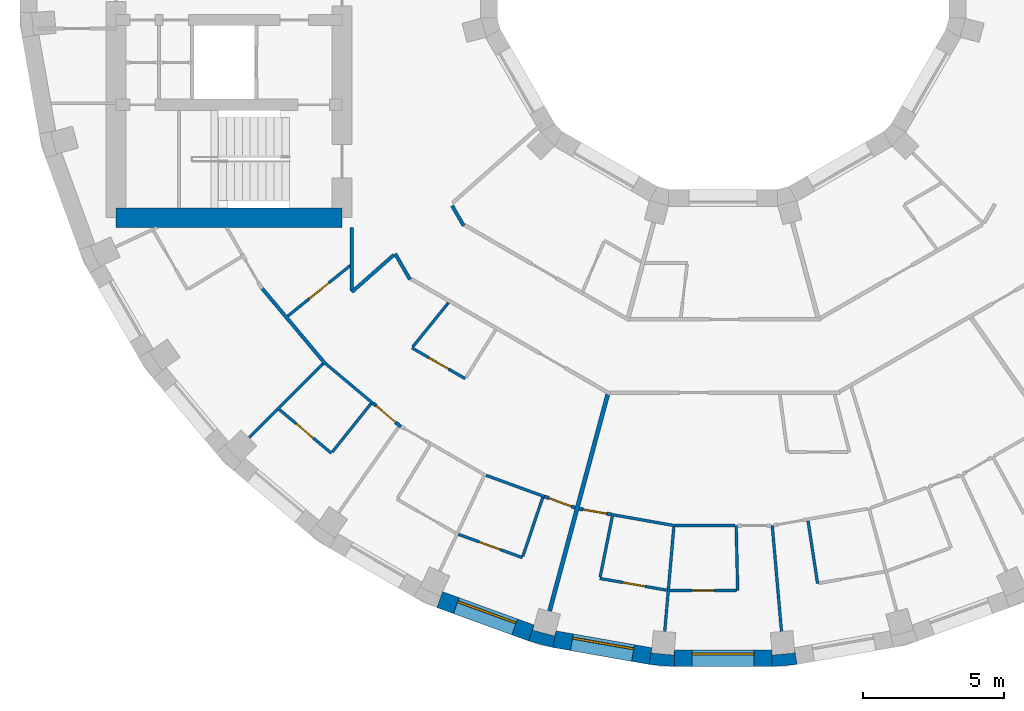
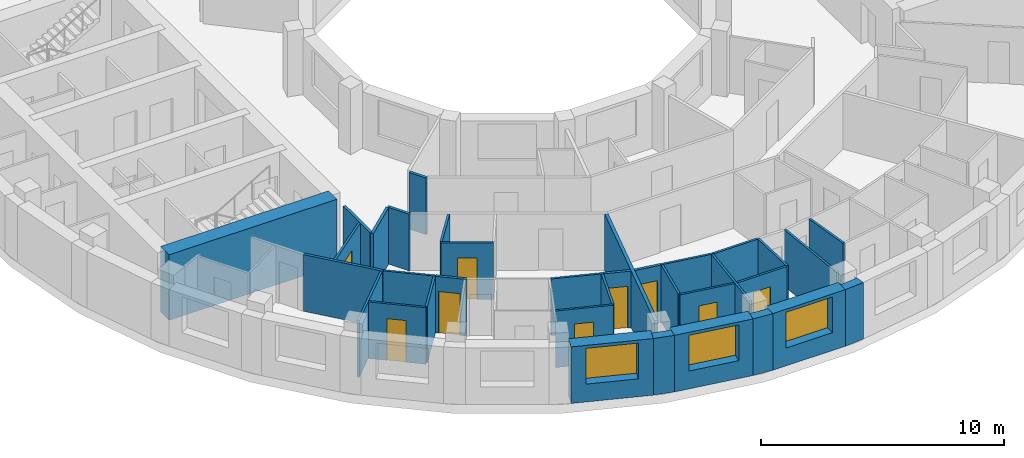
# One storey, part 4 of 14: 35 walls, 9 doors, 3 windows, 12 openings.
"""IFC4 building model written with IfcOpenShell, lengths in metres."""

from ifc_helpers import new_model, si_unit, direction, frame, frame_2d, origin, place, context, subcontext, project, spatial, polyline, rectangle, outline, extrude, material, layer, layer_set, type_object, element, fill, save


model = new_model("IFC4")

# Units and contexts
model_context = context("Model", 3, precision=1e-05, world=origin(), true_north=direction((0.0, 1.0)))
body_context = subcontext(model_context, "Body", "Model", "MODEL_VIEW")
ifc_project = project(units=[si_unit("LENGTHUNIT", "METRE"), si_unit("AREAUNIT", "SQUARE_METRE"), si_unit("VOLUMEUNIT", "CUBIC_METRE"), si_unit("PLANEANGLEUNIT", "RADIAN"), si_unit("MASSUNIT", "GRAM", prefix="KILO")], contexts=[model_context])

# Site, building, storey
site_placement = place(None, origin())
site = spatial("IfcSite", under=ifc_project, at=site_placement, CompositionType="ELEMENT")
building_placement = place(site_placement, origin())
building = spatial("IfcBuilding", under=site, at=building_placement, Name="Saqina Gate Tower", CompositionType="ELEMENT")
storey_placement = place(building_placement, frame((0.0, 0.0, 177.300048828125)))
storey = spatial("IfcBuildingStorey", under=building, at=storey_placement, Name="L50", CompositionType="ELEMENT", Elevation=177.300048828125)

# Walls
ifc_material_1 = material(Name="Brick masonry (buff)", Category="masonry")
wall_type_1 = type_object("IfcWallType", Name="BRICK PIER COPING BUFF", PredefinedType="SOLIDWALL", material=ifc_material_1)
wall_1_placement = place(storey_placement, origin())
element("IfcWall", 1, at=wall_1_placement, inside=storey, type_object=wall_type_1, Name="Pier cap L50 column 26", PredefinedType="SOLIDWALL", context=body_context, shape_type="SweptSolid", body=[
    extrude(outline(polyline([(-6.0234375, -24.22705078125), (-5.919189453125, -23.635986328125), (-5.967529296875, -23.81689453125), (-6.740478515625, -23.610107421875), (-6.69189453125, -23.428955078125), (-6.897216796875, -23.992919921875), (-6.0234375, -24.22705078125)])), origin(), (0.0, 0.0, 1.0), 2.849853515625),
])
wall_2_placement = place(storey_placement, origin())
element("IfcWall", 2, at=wall_2_placement, inside=storey, type_object=wall_type_1, Name="Pier cap L50 column 27", PredefinedType="SOLIDWALL", context=body_context, shape_type="SweptSolid", body=[
    extrude(outline(polyline([(-2.6259765625, -24.825927734375), (-1.724853515625, -24.90478515625), (-1.724853515625, -24.304931640625), (-1.7412109375, -24.491455078125), (-2.5380859375, -24.421630859375), (-2.521728515625, -24.235107421875), (-2.6259765625, -24.825927734375)])), origin(), (0.0, 0.0, 1.0), 2.849853515625),
])
wall_3_placement = place(storey_placement, origin())
element("IfcWall", 3, at=wall_3_placement, inside=storey, type_object=wall_type_1, Name="Pier cap L50 column 28", PredefinedType="SOLIDWALL", context=body_context, shape_type="SweptSolid", body=[
    extrude(outline(polyline([(1.724853515625, -24.90478515625), (2.6259765625, -24.825927734375), (2.521728515625, -24.235107421875), (2.5380859375, -24.421630859375), (1.7412109375, -24.491455078125), (1.724853515625, -24.304931640625), (1.724853515625, -24.90478515625)])), origin(), (0.0, 0.0, 1.0), 2.849853515625),
])

# Wall, opening, window
ifc_material_2 = material(Name="Brick masonry (buff)", Category="masonry")
ifc_layer_1 = layer(ifc_material_2, 0.60009765625)
ifc_layer_set_1 = layer_set([ifc_layer_1], Name="FW-BRICK-BUFF")
wall_type_2 = type_object("IfcWallType", Name="FW-BRICK-BUFF", PredefinedType="SOLIDWALL", material=ifc_layer_set_1)
wall_4_placement = place(storey_placement, frame((-10.0361328125, -22.531005859375, 0.0), z_axis=(0.0, 0.0, 1.0), x_axis=(0.93968799822, -0.342032843455, 0.0)))
wall_4 = element("IfcWall", 4, at=wall_4_placement, inside=storey, type_object=wall_type_2, Name="Facade wall L50 facet 25", PredefinedType="SOLIDWALL", context=body_context, shape_type="SweptSolid", body=[
    extrude(rectangle(XDim=3.44970703125, YDim=0.60009765625, at=frame_2d((1.724853515625, 0.0))), origin(), (0.0, 0.0, 1.0), 2.849853515625),
])
opening_1_placement = place(wall_4_placement, frame((0.625, 0.0, 0.89990234375)))
opening_1 = element("IfcOpeningElement", 5, at=opening_1_placement, cuts=wall_4, Name="Opening G14-W18", PredefinedType="OPENING", context=body_context, shape_type="SweptSolid", body=[
    extrude(rectangle(XDim=2.199951171875, YDim=1.800048828125, at=frame_2d((1.10009765625, 0.89990234375))), frame((0.0, 0.31201171875, 0.0), z_axis=(0.0, -1.0, 0.0), x_axis=(1.0, 0.0, 0.0)), (0.0, 0.0, 1.0), 0.6240234375),
])
ifc_material_3 = material(Name="Aluminium glazing", Category="aluminium")
window_type = type_object("IfcWindowType", Name="WN-C", PartitioningType="SINGLE_PANEL", PredefinedType="WINDOW", material=ifc_material_3)
window_1_placement = place(opening_1_placement, origin())
window_1 = element("IfcWindow", 6, at=window_1_placement, inside=storey, type_object=window_type, Name="Window L50 facet 25", OverallHeight=1.800048828125, OverallWidth=2.199951171875, PartitioningType="SINGLE_PANEL", PredefinedType="WINDOW", context=body_context, shape_type="SweptSolid", body=[
    extrude(rectangle(XDim=2.199951171875, YDim=1.800048828125, at=frame_2d((1.10009765625, 0.89990234375))), frame((0.0, 0.179931640625, 0.0), z_axis=(0.0, -1.0, 0.0), x_axis=(1.0, 0.0, 0.0)), (0.0, 0.0, 1.0), 0.06005859375),
])
fill(opening_1, window_1)

wall_5_placement = place(storey_placement, frame((-5.97119140625, -23.931640625, 0.0), z_axis=(0.0, 0.0, 1.0), x_axis=(0.984814892183, -0.173607684551, 0.0)))
wall_5 = element("IfcWall", 7, at=wall_5_placement, inside=storey, type_object=wall_type_2, Name="Facade wall L50 facet 26", PredefinedType="SOLIDWALL", context=body_context, shape_type="SweptSolid", body=[
    extrude(rectangle(XDim=3.44970703125, YDim=0.60009765625, at=frame_2d((1.724853515625, 0.0))), origin(), (0.0, 0.0, 1.0), 2.849853515625),
])
opening_2_placement = place(wall_5_placement, frame((0.625, 0.0, 0.89990234375)))
opening_2 = element("IfcOpeningElement", 8, at=opening_2_placement, cuts=wall_5, Name="Opening G14-W19", PredefinedType="OPENING", context=body_context, shape_type="SweptSolid", body=[
    extrude(rectangle(XDim=2.199951171875, YDim=1.800048828125, at=frame_2d((1.10009765625, 0.89990234375))), frame((0.0, 0.31201171875, 0.0), z_axis=(0.0, -1.0, 0.0), x_axis=(1.0, 0.0, 0.0)), (0.0, 0.0, 1.0), 0.6240234375),
])
window_2_placement = place(opening_2_placement, origin())
window_2 = element("IfcWindow", 9, at=window_2_placement, inside=storey, type_object=window_type, Name="Window L50 facet 26", OverallHeight=1.800048828125, OverallWidth=2.199951171875, PartitioningType="SINGLE_PANEL", PredefinedType="WINDOW", context=body_context, shape_type="SweptSolid", body=[
    extrude(rectangle(XDim=2.199951171875, YDim=1.800048828125, at=frame_2d((1.10009765625, 0.89990234375))), frame((0.0, 0.179931640625, 0.0), z_axis=(0.0, -1.0, 0.0), x_axis=(1.0, 0.0, 0.0)), (0.0, 0.0, 1.0), 0.06005859375),
])
fill(opening_2, window_2)

wall_6_placement = place(storey_placement, frame((-1.724853515625, -24.60498046875, 0.0), z_axis=(0.0, 0.0, 1.0), x_axis=(1.0, 0.0, 0.0)))
wall_6 = element("IfcWall", 10, at=wall_6_placement, inside=storey, type_object=wall_type_2, Name="Facade wall L50 facet 27", PredefinedType="SOLIDWALL", context=body_context, shape_type="SweptSolid", body=[
    extrude(rectangle(XDim=3.44970703125, YDim=0.60009765625, at=frame_2d((1.724853515625, 0.0))), origin(), (0.0, 0.0, 1.0), 2.849853515625),
])
opening_3_placement = place(wall_6_placement, frame((0.625, 0.0, 0.89990234375)))
opening_3 = element("IfcOpeningElement", 11, at=opening_3_placement, cuts=wall_6, Name="Opening G14-W20", PredefinedType="OPENING", context=body_context, shape_type="SweptSolid", body=[
    extrude(rectangle(XDim=2.199951171875, YDim=1.800048828125, at=frame_2d((1.10009765625, 0.89990234375))), frame((0.0, 0.31201171875, 0.0), z_axis=(0.0, -1.0, 0.0), x_axis=(1.0, 0.0, 0.0)), (0.0, 0.0, 1.0), 0.6240234375),
])
window_3_placement = place(opening_3_placement, origin())
window_3 = element("IfcWindow", 12, at=window_3_placement, inside=storey, type_object=window_type, Name="Window L50 facet 27", OverallHeight=1.800048828125, OverallWidth=2.199951171875, PartitioningType="SINGLE_PANEL", PredefinedType="WINDOW", context=body_context, shape_type="SweptSolid", body=[
    extrude(rectangle(XDim=2.199951171875, YDim=1.800048828125, at=frame_2d((1.10009765625, 0.89990234375))), frame((0.0, 0.179931640625, 0.0), z_axis=(0.0, -1.0, 0.0), x_axis=(1.0, 0.0, 0.0)), (0.0, 0.0, 1.0), 0.06005859375),
])
fill(opening_3, window_3)

# Walls
ifc_material_4 = material(Name="Gypsum board on steel studs, 100 mm", Category="steel")
ifc_layer_2 = layer(ifc_material_4, 0.10009765625)
ifc_layer_set_2 = layer_set([ifc_layer_2], Name="PARTITION 100")
wall_type_3 = type_object("IfcWallType", Name="PARTITION 100", PredefinedType="PARTITIONING", material=ifc_layer_set_2)
wall_7_placement = place(storey_placement, frame((0.462890625, -19.905029296875, 0.0), z_axis=(0.0, 0.0, 1.0), x_axis=(0.023557837766, -0.99972247563, 0.0)))
element("IfcWall", 13, at=wall_7_placement, inside=storey, type_object=wall_type_3, Name="PARTITION PW3-02", PredefinedType="PARTITIONING", context=body_context, shape_type="SweptSolid", body=[
    extrude(rectangle(XDim=2.30078125, YDim=0.10009765625, at=frame_2d((1.150390625, 0.0))), origin(), (0.0, 0.0, 1.0), 2.849853515625),
])
wall_8_placement = place(storey_placement, frame((1.740966796875, -19.905029296875, 0.0), z_axis=(0.0, 0.0, 1.0), x_axis=(0.087033201937, -0.996205411429, 0.0)))
element("IfcWall", 14, at=wall_8_placement, inside=storey, type_object=wall_type_3, Name="PARTITION PW3-05", PredefinedType="PARTITIONING", context=body_context, shape_type="SweptSolid", body=[
    extrude(rectangle(XDim=3.7587890625, YDim=0.10009765625, at=frame_2d((1.87939453125, 0.0))), origin(), (0.0, 0.0, 1.0), 2.849853515625),
])
wall_9_placement = place(storey_placement, frame((3.009521484375, -19.744873046875, 0.0), z_axis=(0.0, 0.0, 1.0), x_axis=(0.150778111259, -0.988567631053, 0.0)))
element("IfcWall", 15, at=wall_9_placement, inside=storey, type_object=wall_type_3, Name="PARTITION PW3-09", PredefinedType="PARTITIONING", context=body_context, shape_type="SweptSolid", body=[
    extrude(rectangle(XDim=2.23779296875, YDim=0.10009765625, at=frame_2d((1.118896484375, 0.0))), origin(), (0.0, 0.0, 1.0), 2.849853515625),
])

# Wall, opening, door
wall_10_placement = place(storey_placement, frame((-15.72265625, -15.793212890625, 0.0), z_axis=(0.0, 0.0, 1.0), x_axis=(0.766024146731, -0.642811797204, 0.0)))
wall_10 = element("IfcWall", 16, at=wall_10_placement, inside=storey, type_object=wall_type_3, Name="PARTITION PW3-28", PredefinedType="PARTITIONING", context=body_context, shape_type="SweptSolid", body=[
    extrude(rectangle(XDim=2.409423828125, YDim=0.10009765625, at=frame_2d((1.20458984375, 0.0))), origin(), (0.0, 0.0, 1.0), 2.849853515625),
])
opening_4_placement = place(wall_10_placement, frame((0.77978515625, 0.0, 0.0)))
opening_4 = element("IfcOpeningElement", 17, at=opening_4_placement, cuts=wall_10, Name="Opening G14-D34", PredefinedType="OPENING", context=body_context, shape_type="SweptSolid", body=[
    extrude(rectangle(XDim=0.800048828125, YDim=2.10009765625, at=frame_2d((0.39990234375, 1.050048828125))), frame((0.0, 0.06201171875, 0.0), z_axis=(0.0, -1.0, 0.0), x_axis=(1.0, 0.0, 0.0)), (0.0, 0.0, 1.0), 0.1240234375),
])
ifc_material_5 = material(Name="Timber door leaf, 800 mm", Category="wood")
door_type_1 = type_object("IfcDoorType", Name="DOOR 800 TIMBER", OperationType="SINGLE_SWING_LEFT", PredefinedType="DOOR", material=ifc_material_5)
door_1_placement = place(opening_4_placement, frame((0.800048828125, 0.0, 0.0), z_axis=(0.0, 0.0, 1.0), x_axis=(-1.0, 0.0, 0.0)))
door_1 = element("IfcDoor", 18, at=door_1_placement, inside=storey, type_object=door_type_1, Name="DOOR G14-D34", OperationType="SINGLE_SWING_RIGHT", OverallHeight=2.10009765625, OverallWidth=0.800048828125, PredefinedType="DOOR", context=body_context, shape_type="SweptSolid", body=[
    extrude(rectangle(XDim=0.800048828125, YDim=2.10009765625, at=frame_2d((0.39990234375, 1.050048828125))), frame((0.0, 0.02490234375, 0.0), z_axis=(0.0, -1.0, 0.0), x_axis=(1.0, 0.0, 0.0)), (0.0, 0.0, 1.0), 0.050048828125),
])
fill(opening_4, door_1)

# Wall
wall_11_placement = place(storey_placement, frame((-14.0810546875, -14.169189453125, 0.0), z_axis=(0.0, 0.0, 1.0), x_axis=(0.766108401036, -0.642711379907, 0.0)))
element("IfcWall", 19, at=wall_11_placement, inside=storey, type_object=wall_type_3, Name="PARTITION PW3-29", PredefinedType="PARTITIONING", context=body_context, shape_type="SweptSolid", body=[
    extrude(rectangle(XDim=2.192138671875, YDim=0.10009765625, at=frame_2d((1.09619140625, 0.0))), origin(), (0.0, 0.0, 1.0), 2.849853515625),
])

# Wall, opening, door
wall_12_placement = place(storey_placement, frame((-11.02294921875, -13.612060546875, 0.0), z_axis=(0.0, 0.0, 1.0), x_axis=(0.86608684879, -0.499893559023, 0.0)))
wall_12 = element("IfcWall", 20, at=wall_12_placement, inside=storey, type_object=wall_type_3, Name="PARTITION PW3-37", PredefinedType="PARTITIONING", context=body_context, shape_type="SweptSolid", body=[
    extrude(rectangle(XDim=2.18212890625, YDim=0.10009765625, at=frame_2d((1.091064453125, 0.0))), origin(), (0.0, 0.0, 1.0), 2.849853515625),
])
opening_5_placement = place(wall_12_placement, frame((0.691162109375, 0.0, 0.0)))
opening_5 = element("IfcOpeningElement", 21, at=opening_5_placement, cuts=wall_12, Name="Opening G14-D36", PredefinedType="OPENING", context=body_context, shape_type="SweptSolid", body=[
    extrude(rectangle(XDim=0.800048828125, YDim=2.10009765625, at=frame_2d((0.39990234375, 1.050048828125))), frame((0.0, 0.06201171875, 0.0), z_axis=(0.0, -1.0, 0.0), x_axis=(1.0, 0.0, 0.0)), (0.0, 0.0, 1.0), 0.1240234375),
])
door_2_placement = place(opening_5_placement, frame((0.800048828125, 0.0, 0.0), z_axis=(0.0, 0.0, 1.0), x_axis=(-1.0, 0.0, 0.0)))
door_2 = element("IfcDoor", 22, at=door_2_placement, inside=storey, type_object=door_type_1, Name="DOOR G14-D36", OperationType="SINGLE_SWING_RIGHT", OverallHeight=2.10009765625, OverallWidth=0.800048828125, PredefinedType="DOOR", context=body_context, shape_type="SweptSolid", body=[
    extrude(rectangle(XDim=0.800048828125, YDim=2.10009765625, at=frame_2d((0.39990234375, 1.050048828125))), frame((0.0, 0.02490234375, 0.0), z_axis=(0.0, -1.0, 0.0), x_axis=(1.0, 0.0, 0.0)), (0.0, 0.0, 1.0), 0.050048828125),
])
fill(opening_5, door_2)

wall_13_placement = place(storey_placement, frame((-9.373046875, -20.218017578125, 0.0), z_axis=(0.0, 0.0, 1.0), x_axis=(0.939707598657, -0.34197898916, 0.0)))
wall_13 = element("IfcWall", 23, at=wall_13_placement, inside=storey, type_object=wall_type_3, Name="PARTITION PW3-42", PredefinedType="PARTITIONING", context=body_context, shape_type="SweptSolid", body=[
    extrude(rectangle(XDim=2.409423828125, YDim=0.10009765625, at=frame_2d((1.20458984375, 0.0))), origin(), (0.0, 0.0, 1.0), 2.849853515625),
])
opening_6_placement = place(wall_13_placement, frame((0.779541015625, 0.0, 0.0)))
opening_6 = element("IfcOpeningElement", 24, at=opening_6_placement, cuts=wall_13, Name="Opening G14-D42", PredefinedType="OPENING", context=body_context, shape_type="SweptSolid", body=[
    extrude(rectangle(XDim=0.800048828125, YDim=2.10009765625, at=frame_2d((0.39990234375, 1.050048828125))), frame((0.0, 0.06201171875, 0.0), z_axis=(0.0, -1.0, 0.0), x_axis=(1.0, 0.0, 0.0)), (0.0, 0.0, 1.0), 0.1240234375),
])
door_3_placement = place(opening_6_placement, frame((0.800048828125, 0.0, 0.0), z_axis=(0.0, 0.0, 1.0), x_axis=(-1.0, 0.0, 0.0)))
door_3 = element("IfcDoor", 25, at=door_3_placement, inside=storey, type_object=door_type_1, Name="DOOR G14-D42", OperationType="SINGLE_SWING_RIGHT", OverallHeight=2.10009765625, OverallWidth=0.800048828125, PredefinedType="DOOR", context=body_context, shape_type="SweptSolid", body=[
    extrude(rectangle(XDim=0.800048828125, YDim=2.10009765625, at=frame_2d((0.39990234375, 1.050048828125))), frame((0.0, 0.02490234375, 0.0), z_axis=(0.0, -1.0, 0.0), x_axis=(1.0, 0.0, 0.0)), (0.0, 0.0, 1.0), 0.050048828125),
])
fill(opening_6, door_3)

# Wall
wall_14_placement = place(storey_placement, frame((-8.39697265625, -18.126220703125, 0.0), z_axis=(0.0, 0.0, 1.0), x_axis=(0.939676937302, -0.342063230271, 0.0)))
element("IfcWall", 26, at=wall_14_placement, inside=storey, type_object=wall_type_3, Name="PARTITION PW3-43", PredefinedType="PARTITIONING", context=body_context, shape_type="SweptSolid", body=[
    extrude(rectangle(XDim=2.2041015625, YDim=0.10009765625, at=frame_2d((1.10205078125, 0.0))), origin(), (0.0, 0.0, 1.0), 2.849853515625),
])

# Wall, opening, door
wall_15_placement = place(storey_placement, frame((-4.364990234375, -21.778076171875, 0.0), z_axis=(0.0, 0.0, 1.0), x_axis=(0.984820260231, -0.173577230762, 0.0)))
wall_15 = element("IfcWall", 27, at=wall_15_placement, inside=storey, type_object=wall_type_3, Name="PARTITION PW3-46", PredefinedType="PARTITIONING", context=body_context, shape_type="SweptSolid", body=[
    extrude(rectangle(XDim=2.409423828125, YDim=0.10009765625, at=frame_2d((1.20458984375, 0.0))), origin(), (0.0, 0.0, 1.0), 2.849853515625),
])
opening_7_placement = place(wall_15_placement, frame((0.82958984375, 0.0, 0.0)))
opening_7 = element("IfcOpeningElement", 28, at=opening_7_placement, cuts=wall_15, Name="Opening G14-D45", PredefinedType="OPENING", context=body_context, shape_type="SweptSolid", body=[
    extrude(rectangle(XDim=0.800048828125, YDim=2.10009765625, at=frame_2d((0.39990234375, 1.050048828125))), frame((0.0, 0.06201171875, 0.0), z_axis=(0.0, -1.0, 0.0), x_axis=(1.0, 0.0, 0.0)), (0.0, 0.0, 1.0), 0.1240234375),
])
door_4_placement = place(opening_7_placement, frame((0.800048828125, 0.0, 0.0), z_axis=(0.0, 0.0, 1.0), x_axis=(-1.0, 0.0, 0.0)))
door_4 = element("IfcDoor", 29, at=door_4_placement, inside=storey, type_object=door_type_1, Name="DOOR G14-D45", OperationType="SINGLE_SWING_LEFT", OverallHeight=2.10009765625, OverallWidth=0.800048828125, PredefinedType="DOOR", context=body_context, shape_type="SweptSolid", body=[
    extrude(rectangle(XDim=0.800048828125, YDim=2.10009765625, at=frame_2d((0.39990234375, 1.050048828125))), frame((0.0, 0.02490234375, 0.0), z_axis=(0.0, -1.0, 0.0), x_axis=(1.0, 0.0, 0.0)), (0.0, 0.0, 1.0), 0.050048828125),
])
fill(opening_7, door_4)

# Wall
wall_16_placement = place(storey_placement, frame((-3.961181640625, -19.513427734375, 0.0), z_axis=(0.0, 0.0, 1.0), x_axis=(0.984801677979, -0.173682627367, 0.0)))
element("IfcWall", 30, at=wall_16_placement, inside=storey, type_object=wall_type_3, Name="PARTITION PW3-47", PredefinedType="PARTITIONING", context=body_context, shape_type="SweptSolid", body=[
    extrude(rectangle(XDim=2.305419921875, YDim=0.10009765625, at=frame_2d((1.15283203125, 0.0))), origin(), (0.0, 0.0, 1.0), 2.849853515625),
])

# Wall, opening, door
wall_17_placement = place(storey_placement, frame((-1.89306640625, -22.205078125, 0.0), z_axis=(0.0, 0.0, 1.0), x_axis=(1.0, 0.0, 0.0)))
wall_17 = element("IfcWall", 31, at=wall_17_placement, inside=storey, type_object=wall_type_3, Name="PARTITION PW3-50", PredefinedType="PARTITIONING", context=body_context, shape_type="SweptSolid", body=[
    extrude(rectangle(XDim=2.360107421875, YDim=0.10009765625, at=frame_2d((1.18017578125, 0.0))), origin(), (0.0, 0.0, 1.0), 2.849853515625),
])
opening_8_placement = place(wall_17_placement, frame((0.780029296875, 0.0, 0.0)))
opening_8 = element("IfcOpeningElement", 32, at=opening_8_placement, cuts=wall_17, Name="Opening G14-D48", PredefinedType="OPENING", context=body_context, shape_type="SweptSolid", body=[
    extrude(rectangle(XDim=0.800048828125, YDim=2.10009765625, at=frame_2d((0.39990234375, 1.050048828125))), frame((0.0, 0.06201171875, 0.0), z_axis=(0.0, -1.0, 0.0), x_axis=(1.0, 0.0, 0.0)), (0.0, 0.0, 1.0), 0.1240234375),
])
door_5_placement = place(opening_8_placement, frame((0.800048828125, 0.0, 0.0), z_axis=(0.0, 0.0, 1.0), x_axis=(-1.0, 0.0, 0.0)))
door_5 = element("IfcDoor", 33, at=door_5_placement, inside=storey, type_object=door_type_1, Name="DOOR G14-D48", OperationType="SINGLE_SWING_LEFT", OverallHeight=2.10009765625, OverallWidth=0.800048828125, PredefinedType="DOOR", context=body_context, shape_type="SweptSolid", body=[
    extrude(rectangle(XDim=0.800048828125, YDim=2.10009765625, at=frame_2d((0.39990234375, 1.050048828125))), frame((0.0, 0.02490234375, 0.0), z_axis=(0.0, -1.0, 0.0), x_axis=(1.0, 0.0, 0.0)), (0.0, 0.0, 1.0), 0.050048828125),
])
fill(opening_8, door_5)

# Wall
wall_18_placement = place(storey_placement, frame((-1.69091796875, -19.905029296875, 0.0), z_axis=(0.0, 0.0, 1.0), x_axis=(1.0, 0.0, 0.0)))
element("IfcWall", 34, at=wall_18_placement, inside=storey, type_object=wall_type_3, Name="PARTITION PW3-51", PredefinedType="PARTITIONING", context=body_context, shape_type="SweptSolid", body=[
    extrude(rectangle(XDim=2.10400390625, YDim=0.10009765625, at=frame_2d((1.052001953125, 0.0))), origin(), (0.0, 0.0, 1.0), 2.849853515625),
])

# Wall, opening, door
wall_19_placement = place(storey_placement, frame((-15.42236328125, -12.48876953125, 0.0), z_axis=(0.0, 0.0, 1.0), x_axis=(0.777201155745, 0.629252225669, 0.0)))
wall_19 = element("IfcWall", 35, at=wall_19_placement, inside=storey, type_object=wall_type_3, Name="PARTITION PW3-74", PredefinedType="PARTITIONING", context=body_context, shape_type="SweptSolid", body=[
    extrude(rectangle(XDim=2.861328125, YDim=0.10009765625, at=frame_2d((1.4306640625, 0.0))), origin(), (0.0, 0.0, 1.0), 2.849853515625),
])
opening_9_placement = place(wall_19_placement, frame((0.980712890625, 0.0, 0.0)))
opening_9 = element("IfcOpeningElement", 36, at=opening_9_placement, cuts=wall_19, Name="Opening G14-D33", PredefinedType="OPENING", context=body_context, shape_type="SweptSolid", body=[
    extrude(rectangle(XDim=0.89990234375, YDim=2.10009765625, at=frame_2d((0.449951171875, 1.050048828125))), frame((0.0, 0.06201171875, 0.0), z_axis=(0.0, -1.0, 0.0), x_axis=(1.0, 0.0, 0.0)), (0.0, 0.0, 1.0), 0.1240234375),
])
ifc_material_6 = material(Name="Timber door leaf, 900 mm", Category="wood")
door_type_2 = type_object("IfcDoorType", Name="DOOR 900 TIMBER", OperationType="SINGLE_SWING_LEFT", PredefinedType="DOOR", material=ifc_material_6)
door_6_placement = place(opening_9_placement, frame((0.89990234375, 0.0, 0.0), z_axis=(0.0, 0.0, 1.0), x_axis=(-1.0, 0.0, 0.0)))
door_6 = element("IfcDoor", 37, at=door_6_placement, inside=storey, type_object=door_type_2, Name="DOOR G14-D33", OperationType="SINGLE_SWING_LEFT", OverallHeight=2.10009765625, OverallWidth=0.89990234375, PredefinedType="DOOR", context=body_context, shape_type="SweptSolid", body=[
    extrude(rectangle(XDim=0.89990234375, YDim=2.10009765625, at=frame_2d((0.449951171875, 1.050048828125))), frame((0.0, 0.02490234375, 0.0), z_axis=(0.0, -1.0, 0.0), x_axis=(1.0, 0.0, 0.0)), (0.0, 0.0, 1.0), 0.050048828125),
])
fill(opening_9, door_6)

# Walls
wall_20_placement = place(storey_placement, frame((-16.78662109375, -16.78662109375, 0.0), z_axis=(0.0, 0.0, 1.0), x_axis=(0.707106781187, 0.707106781187, 0.0)))
element("IfcWall", 38, at=wall_20_placement, inside=storey, type_object=wall_type_3, Name="PARTITION PW3-78", PredefinedType="PARTITIONING", context=body_context, shape_type="SweptSolid", body=[
    extrude(rectangle(XDim=3.696044921875, YDim=0.10009765625, at=frame_2d((1.84814453125, 0.0))), origin(), (0.0, 0.0, 1.0), 2.849853515625),
])
wall_21_placement = place(storey_placement, frame((-10.991455078125, -13.5732421875, 0.0), z_axis=(0.0, 0.0, 1.0), x_axis=(0.629327284659, 0.777140379072, 0.0)))
element("IfcWall", 39, at=wall_21_placement, inside=storey, type_object=wall_type_3, Name="PARTITION PW3-83", PredefinedType="PARTITIONING", context=body_context, shape_type="SweptSolid", body=[
    extrude(rectangle(XDim=2.013427734375, YDim=0.10009765625, at=frame_2d((1.0068359375, 0.0))), origin(), (0.0, 0.0, 1.0), 2.849853515625),
])
wall_22_placement = place(storey_placement, frame((-13.845703125, -17.302978515625, 0.0), z_axis=(0.0, 0.0, 1.0), x_axis=(0.624722111344, 0.780847157642, 0.0)))
element("IfcWall", 40, at=wall_22_placement, inside=storey, type_object=wall_type_3, Name="PARTITION PW3-84", PredefinedType="PARTITIONING", context=body_context, shape_type="SweptSolid", body=[
    extrude(rectangle(XDim=2.2001953125, YDim=0.10009765625, at=frame_2d((1.10009765625, 0.0))), origin(), (0.0, 0.0, 1.0), 2.849853515625),
])
wall_23_placement = place(storey_placement, frame((-7.093017578125, -20.99462890625, 0.0), z_axis=(0.0, 0.0, 1.0), x_axis=(0.320053851591, 0.947399351953, 0.0)))
element("IfcWall", 41, at=wall_23_placement, inside=storey, type_object=wall_type_3, Name="PARTITION PW3-96", PredefinedType="PARTITIONING", context=body_context, shape_type="SweptSolid", body=[
    extrude(rectangle(XDim=2.199951171875, YDim=0.10009765625, at=frame_2d((1.10009765625, 0.0))), origin(), (0.0, 0.0, 1.0), 2.849853515625),
])
wall_24_placement = place(storey_placement, frame((-4.355224609375, -21.72900390625, 0.0), z_axis=(0.0, 0.0, 1.0), x_axis=(0.196888353759, 0.980425915689, 0.0)))
element("IfcWall", 42, at=wall_24_placement, inside=storey, type_object=wall_type_3, Name="PARTITION PW3-98", PredefinedType="PARTITIONING", context=body_context, shape_type="SweptSolid", body=[
    extrude(rectangle(XDim=2.1884765625, YDim=0.10009765625, at=frame_2d((1.09423828125, 0.0))), origin(), (0.0, 0.0, 1.0), 2.849853515625),
])
wall_25_placement = place(storey_placement, frame((-2.0673828125, -23.64990234375, 0.0), z_axis=(0.0, 0.0, 1.0), x_axis=(0.086819919703, 0.996224021766, 0.0)))
element("IfcWall", 43, at=wall_25_placement, inside=storey, type_object=wall_type_3, Name="PARTITION PW3-101", PredefinedType="PARTITIONING", context=body_context, shape_type="SweptSolid", body=[
    extrude(rectangle(XDim=3.708984375, YDim=0.10009765625, at=frame_2d((1.8544921875, 0.0))), origin(), (0.0, 0.0, 1.0), 2.849853515625),
])
ifc_material_7 = material(Name="Gypsum board on steel studs, 125 mm, fire rated", Category="steel")
ifc_layer_3 = layer(ifc_material_7, 0.125)
ifc_layer_set_3 = layer_set([ifc_layer_3], Name="PARTITION EI 30 125")
wall_type_4 = type_object("IfcWallType", Name="PARTITION EI 30 125", PredefinedType="PARTITIONING", material=ifc_layer_set_3)
wall_26_placement = place(storey_placement, frame((-11.616943359375, -10.278076171875, 0.0), z_axis=(0.0, 0.0, 1.0), x_axis=(0.499956751108, -0.866050372104, 0.0)))
element("IfcWall", 44, at=wall_26_placement, inside=storey, type_object=wall_type_4, Name="PARTITION PW1-02", PredefinedType="PARTITIONING", context=body_context, shape_type="SweptSolid", body=[
    extrude(rectangle(XDim=1.05224609375, YDim=0.125, at=frame_2d((0.526123046875, 0.0))), origin(), (0.0, 0.0, 1.0), 2.849853515625),
])
wall_27_placement = place(storey_placement, frame((-9.598876953125, -8.57421875, 0.0), z_axis=(0.0, 0.0, 1.0), x_axis=(0.499619651844, -0.86624488656, 0.0)))
element("IfcWall", 45, at=wall_27_placement, inside=storey, type_object=wall_type_4, Name="PARTITION PW1-03", PredefinedType="PARTITIONING", context=body_context, shape_type="SweptSolid", body=[
    extrude(rectangle(XDim=0.822509765625, YDim=0.125, at=frame_2d((0.4111328125, 0.0))), origin(), (0.0, 0.0, 1.0), 2.849853515625),
])
wall_28_placement = place(storey_placement, frame((-16.324951171875, -11.5107421875, 0.0), z_axis=(0.0, 0.0, 1.0), x_axis=(0.642416987395, -0.766355279428, 0.0)))
element("IfcWall", 46, at=wall_28_placement, inside=storey, type_object=wall_type_4, Name="PARTITION PW1-08", PredefinedType="PARTITIONING", context=body_context, shape_type="SweptSolid", body=[
    extrude(rectangle(XDim=3.480712890625, YDim=0.125, at=frame_2d((1.740234375, 0.0))), origin(), (0.0, 0.0, 1.0), 2.849853515625),
])

# Wall, opening, door
wall_29_placement = place(storey_placement, frame((-12.398193359375, -15.573974609375, 0.0), z_axis=(0.0, 0.0, 1.0), x_axis=(0.763379112729, -0.645950718128, 0.0)))
wall_29 = element("IfcWall", 47, at=wall_29_placement, inside=storey, type_object=wall_type_4, Name="PARTITION PW1-13", PredefinedType="PARTITIONING", context=body_context, shape_type="SweptSolid", body=[
    extrude(rectangle(XDim=1.291015625, YDim=0.125, at=frame_2d((0.6455078125, 0.0))), origin(), (0.0, 0.0, 1.0), 2.849853515625),
])
opening_10_placement = place(wall_29_placement, frame((0.138916015625, 0.0, 0.0)))
opening_10 = element("IfcOpeningElement", 48, at=opening_10_placement, cuts=wall_29, Name="Opening G14-D35", PredefinedType="OPENING", context=body_context, shape_type="SweptSolid", body=[
    extrude(rectangle(XDim=0.89990234375, YDim=2.10009765625, at=frame_2d((0.449951171875, 1.050048828125))), frame((0.0, 0.074462890625, 0.0), z_axis=(0.0, -1.0, 0.0), x_axis=(1.0, 0.0, 0.0)), (0.0, 0.0, 1.0), 0.14892578125),
])
ifc_material_8 = material(Name="Fire door leaf EI 30, 900 mm")
door_type_3 = type_object("IfcDoorType", Name="DOOR 900 EI 30", OperationType="SINGLE_SWING_LEFT", PredefinedType="DOOR", material=ifc_material_8)
door_7_placement = place(opening_10_placement, origin())
door_7 = element("IfcDoor", 49, at=door_7_placement, inside=storey, type_object=door_type_3, Name="DOOR G14-D35", OperationType="SINGLE_SWING_RIGHT", OverallHeight=2.10009765625, OverallWidth=0.89990234375, PredefinedType="DOOR", context=body_context, shape_type="SweptSolid", body=[
    extrude(rectangle(XDim=0.89990234375, YDim=2.10009765625, at=frame_2d((0.449951171875, 1.050048828125))), frame((0.0, 0.02490234375, 0.0), z_axis=(0.0, -1.0, 0.0), x_axis=(1.0, 0.0, 0.0)), (0.0, 0.0, 1.0), 0.050048828125),
])
fill(opening_10, door_7)

wall_30_placement = place(storey_placement, frame((-6.325439453125, -18.878662109375, 0.0), z_axis=(0.0, 0.0, 1.0), x_axis=(0.93942221686, -0.342762160206, 0.0)))
wall_30 = element("IfcWall", 50, at=wall_30_placement, inside=storey, type_object=wall_type_4, Name="PARTITION PW1-22", PredefinedType="PARTITIONING", context=body_context, shape_type="SweptSolid", body=[
    extrude(rectangle(XDim=1.15380859375, YDim=0.125, at=frame_2d((0.576904296875, 0.0))), origin(), (0.0, 0.0, 1.0), 2.849853515625),
])
opening_11_placement = place(wall_30_placement, frame((0.16455078125, 0.0, 0.0)))
opening_11 = element("IfcOpeningElement", 51, at=opening_11_placement, cuts=wall_30, Name="Opening G14-D43", PredefinedType="OPENING", context=body_context, shape_type="SweptSolid", body=[
    extrude(rectangle(XDim=0.85009765625, YDim=2.10009765625, at=frame_2d((0.425048828125, 1.050048828125))), frame((0.0, 0.074462890625, 0.0), z_axis=(0.0, -1.0, 0.0), x_axis=(1.0, 0.0, 0.0)), (0.0, 0.0, 1.0), 0.14892578125),
])
ifc_material_9 = material(Name="Fire door leaf EI 30, 850 mm")
door_type_4 = type_object("IfcDoorType", Name="DOOR 850 EI 30", OperationType="SINGLE_SWING_LEFT", PredefinedType="DOOR", material=ifc_material_9)
door_8_placement = place(opening_11_placement, origin())
door_8 = element("IfcDoor", 52, at=door_8_placement, inside=storey, type_object=door_type_4, Name="DOOR G14-D43", OperationType="SINGLE_SWING_RIGHT", OverallHeight=2.10009765625, OverallWidth=0.85009765625, PredefinedType="DOOR", context=body_context, shape_type="SweptSolid", body=[
    extrude(rectangle(XDim=0.85009765625, YDim=2.10009765625, at=frame_2d((0.425048828125, 1.050048828125))), frame((0.0, 0.02490234375, 0.0), z_axis=(0.0, -1.0, 0.0), x_axis=(1.0, 0.0, 0.0)), (0.0, 0.0, 1.0), 0.050048828125),
])
fill(opening_11, door_8)

wall_31_placement = place(storey_placement, frame((-5.09716796875, -19.31298828125, 0.0), z_axis=(0.0, 0.0, 1.0), x_axis=(0.984787819846, -0.173761186352, 0.0)))
wall_31 = element("IfcWall", 53, at=wall_31_placement, inside=storey, type_object=wall_type_4, Name="PARTITION PW1-24", PredefinedType="PARTITIONING", context=body_context, shape_type="SweptSolid", body=[
    extrude(rectangle(XDim=1.153564453125, YDim=0.125, at=frame_2d((0.57666015625, 0.0))), origin(), (0.0, 0.0, 1.0), 2.849853515625),
])
opening_12_placement = place(wall_31_placement, frame((0.13916015625, 0.0, 0.0)))
opening_12 = element("IfcOpeningElement", 54, at=opening_12_placement, cuts=wall_31, Name="Opening G14-D44", PredefinedType="OPENING", context=body_context, shape_type="SweptSolid", body=[
    extrude(rectangle(XDim=0.85009765625, YDim=2.10009765625, at=frame_2d((0.425048828125, 1.050048828125))), frame((0.0, 0.074462890625, 0.0), z_axis=(0.0, -1.0, 0.0), x_axis=(1.0, 0.0, 0.0)), (0.0, 0.0, 1.0), 0.14892578125),
])
door_9_placement = place(opening_12_placement, origin())
door_9 = element("IfcDoor", 55, at=door_9_placement, inside=storey, type_object=door_type_4, Name="DOOR G14-D44", OperationType="SINGLE_SWING_LEFT", OverallHeight=2.10009765625, OverallWidth=0.85009765625, PredefinedType="DOOR", context=body_context, shape_type="SweptSolid", body=[
    extrude(rectangle(XDim=0.85009765625, YDim=2.10009765625, at=frame_2d((0.425048828125, 1.050048828125))), frame((0.0, 0.02490234375, 0.0), z_axis=(0.0, -1.0, 0.0), x_axis=(1.0, 0.0, 0.0)), (0.0, 0.0, 1.0), 0.050048828125),
])
fill(opening_12, door_9)

# Walls
wall_32_placement = place(storey_placement, frame((-13.14990234375, -11.634033203125, 0.0), z_axis=(0.0, 0.0, 1.0), x_axis=(0.748975424904, 0.662597776098, 0.0)))
element("IfcWall", 56, at=wall_32_placement, inside=storey, type_object=wall_type_4, Name="PARTITION PW1-42", PredefinedType="PARTITIONING", context=body_context, shape_type="SweptSolid", body=[
    extrude(rectangle(XDim=1.984130859375, YDim=0.125, at=frame_2d((0.9921875, 0.0))), origin(), (0.0, 0.0, 1.0), 2.849853515625),
])
wall_33_placement = place(storey_placement, frame((-13.14990234375, -11.571533203125, 0.0), z_axis=(0.0, 0.0, 1.0), x_axis=(0.0, 1.0, 0.0)))
element("IfcWall", 57, at=wall_33_placement, inside=storey, type_object=wall_type_4, Name="PARTITION PW1-51", PredefinedType="PARTITIONING", context=body_context, shape_type="SweptSolid", body=[
    extrude(rectangle(XDim=2.221435546875, YDim=0.125, at=frame_2d((1.11083984375, 0.0))), origin(), (0.0, 0.0, 1.0), 2.849853515625),
])
ifc_material_10 = material(Name="Gypsum board on steel studs, 150 mm, fire rated", Category="steel")
ifc_layer_4 = layer(ifc_material_10, 0.14990234375)
ifc_layer_set_4 = layer_set([ifc_layer_4], Name="PARTITION EI 60 150")
wall_type_5 = type_object("IfcWallType", Name="PARTITION EI 60 150", PredefinedType="PARTITIONING", material=ifc_layer_set_4)
wall_34_placement = place(storey_placement, frame((-6.1455078125, -22.9306640625, 0.0), z_axis=(0.0, 0.0, 1.0), x_axis=(0.259231390727, 0.965815244269, 0.0)))
element("IfcWall", 58, at=wall_34_placement, inside=storey, type_object=wall_type_5, Name="PARTITION PW2-05", PredefinedType="PARTITIONING", context=body_context, shape_type="SweptSolid", body=[
    extrude(rectangle(XDim=7.941162109375, YDim=0.14990234375, at=frame_2d((3.970703125, 0.0))), origin(), (0.0, 0.0, 1.0), 2.849853515625),
])
ifc_material_11 = material(Name="Concrete C60/75", Category="concrete")
ifc_layer_5 = layer(ifc_material_11, 0.699951171875)
ifc_layer_set_5 = layer_set([ifc_layer_5], Name="Concrete C60/75")
wall_type_6 = type_object("IfcWallType", Name="STR-CORE WALL-C-O", PredefinedType="SHEAR", material=ifc_layer_set_5)
wall_35_placement = place(storey_placement, frame((-13.5, -9.0, 0.0), z_axis=(0.0, 0.0, 1.0), x_axis=(-1.0, 0.0, 0.0)))
element("IfcWall", 59, at=wall_35_placement, inside=storey, type_object=wall_type_6, Name="CORE WALL L50 W-SE", PredefinedType="SHEAR", context=body_context, shape_type="SweptSolid", body=[
    extrude(rectangle(XDim=8.0, YDim=0.699951171875, at=frame_2d((4.0, 0.0))), origin(), (0.0, 0.0, 1.0), 3.300048828125),
])

save(model, "model.ifc")
